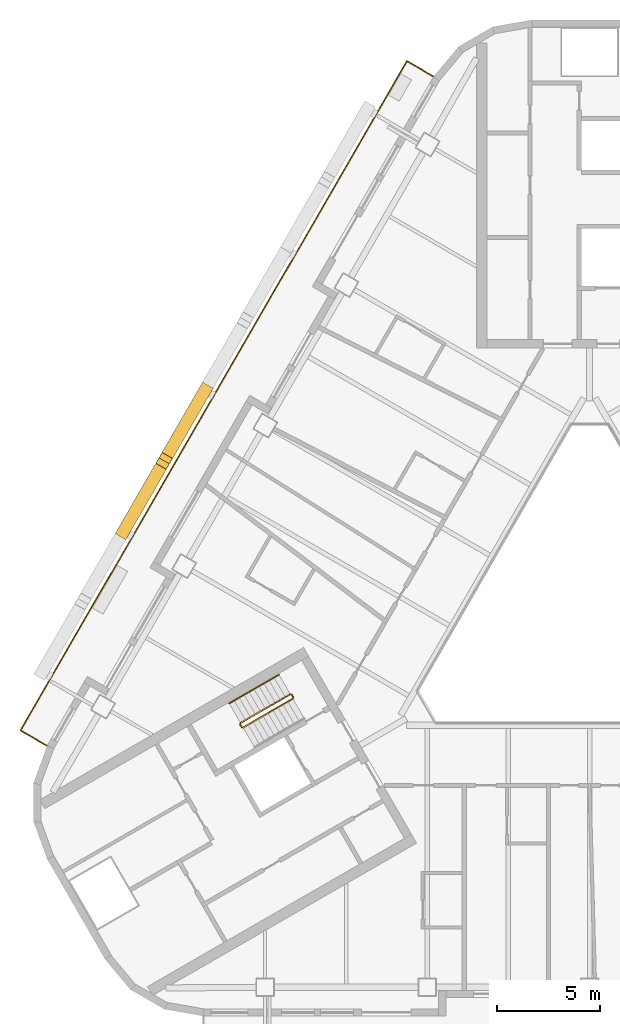
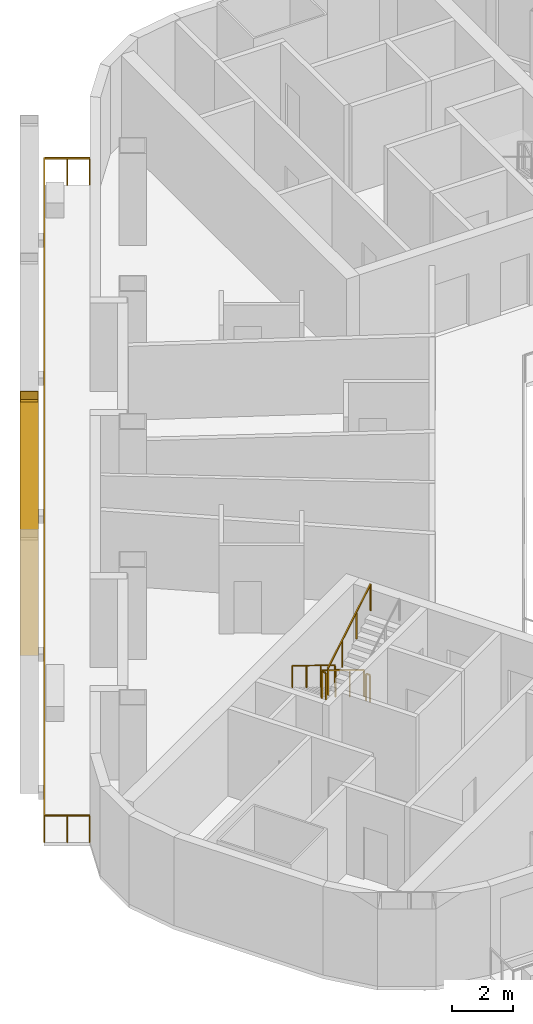
# One storey, part 10 of 14: 6 railings, 2 shading devices.
"""IFC4 building model written with IfcOpenShell, lengths in metres."""

from ifc_helpers import new_model, si_unit, direction, frame, origin, origin_2d, place, context, subcontext, project, spatial, rectangle, hollow_rectangle, circle, extrude, material, material_profile, profile_set, type_object, element, save


model = new_model("IFC4")

# Units and contexts
model_context = context("Model", 3, precision=1e-05, world=origin(), true_north=direction((0.0, 1.0)))
body_context = subcontext(model_context, "Body", "Model", "MODEL_VIEW")
ifc_project = project(units=[si_unit("LENGTHUNIT", "METRE"), si_unit("AREAUNIT", "SQUARE_METRE"), si_unit("VOLUMEUNIT", "CUBIC_METRE"), si_unit("PLANEANGLEUNIT", "RADIAN"), si_unit("MASSUNIT", "GRAM", prefix="KILO")], contexts=[model_context])

# Site, building, storey
site_placement = place(None, origin())
site = spatial("IfcSite", under=ifc_project, at=site_placement, CompositionType="ELEMENT")
building_placement = place(site_placement, origin())
building = spatial("IfcBuilding", under=site, at=building_placement, Name="Apuvela Tower Hotel", CompositionType="ELEMENT")
storey_placement = place(building_placement, frame((0.0, 0.0, 90.89990234375)))
storey = spatial("IfcBuildingStorey", under=building, at=storey_placement, Name="L20", CompositionType="ELEMENT", Elevation=90.89990234375)

# Railings
ifc_material_1 = material(Name="Steel S275 balustrade", Category="steel")
railing_type_1 = type_object("IfcRailingType", Name="COR-GUARD-1100", PredefinedType="GUARDRAIL", material=ifc_material_1)
railing_1_placement = place(storey_placement, frame((-14.569091796875, -3.9658203125, 0.168212890625)))
element("IfcRailing", 1, at=railing_1_placement, inside=storey, type_object=railing_type_1, Name="L20 ST2 stair guard 1", PredefinedType="GUARDRAIL", context=body_context, shape_type="SweptSolid", body=[
    extrude(rectangle(XDim=0.048095703125, YDim=0.048095703125, at=origin_2d()), frame((0.0, 0.0, 1.076171875), z_axis=(-0.742390482028, -0.42860119049, 0.514934356695), x_axis=(0.49998411664, -0.866034573852, 0.0)), (0.0, 0.0, 1.0), 3.26611328125),
    extrude(rectangle(XDim=0.0419921875, YDim=0.0419921875, at=origin_2d()), origin(), (0.0, 0.0, 1.0), 1.052001953125),
    extrude(rectangle(XDim=0.0419921875, YDim=0.0419921875, at=origin_2d()), frame((-0.808349609375, -0.466552734375, 0.560546875)), (0.0, 0.0, 1.0), 1.052001953125),
    extrude(rectangle(XDim=0.0419921875, YDim=0.0419921875, at=origin_2d()), frame((-1.616455078125, -0.933349609375, 1.121337890625)), (0.0, 0.0, 1.0), 1.052001953125),
    extrude(rectangle(XDim=0.0419921875, YDim=0.0419921875, at=origin_2d()), frame((-2.4248046875, -1.39990234375, 1.681884765625)), (0.0, 0.0, 1.0), 1.052001953125),
])
railing_2_placement = place(storey_placement, frame((-17.01220703125, -5.43408203125, 1.85009765625)))
element("IfcRailing", 2, at=railing_2_placement, inside=storey, type_object=railing_type_1, Name="L20 ST2 stair guard 2", PredefinedType="GUARDRAIL", context=body_context, shape_type="SweptSolid", body=[
    extrude(rectangle(XDim=0.048095703125, YDim=0.048095703125, at=origin_2d()), frame((0.0, 0.0, 1.076171875), z_axis=(0.499816412211, -0.866131372301, 0.0), x_axis=(0.866131372301, 0.499816412211, 0.0)), (0.0, 0.0, 1.0), 0.14990234375),
    extrude(rectangle(XDim=0.0419921875, YDim=0.0419921875, at=origin_2d()), origin(), (0.0, 0.0, 1.0), 1.052001953125),
    extrude(rectangle(XDim=0.0419921875, YDim=0.0419921875, at=origin_2d()), frame((0.074951171875, -0.1298828125, 0.0)), (0.0, 0.0, 1.0), 1.052001953125),
])
railing_3_placement = place(storey_placement, frame((-16.868896484375, -5.582275390625, 2.018310546875)))
element("IfcRailing", 3, at=railing_3_placement, inside=storey, type_object=railing_type_1, Name="L20 ST2 stair guard 3", PredefinedType="GUARDRAIL", context=body_context, shape_type="SweptSolid", body=[
    extrude(rectangle(XDim=0.048095703125, YDim=0.048095703125, at=origin_2d()), frame((0.0, 0.0, 1.076171875), z_axis=(0.742390482028, 0.42860119049, 0.514934356695), x_axis=(-0.49998411664, 0.866034573852, 0.0)), (0.0, 0.0, 1.0), 3.26611328125),
    extrude(rectangle(XDim=0.0419921875, YDim=0.0419921875, at=origin_2d()), origin(), (0.0, 0.0, 1.0), 1.052001953125),
    extrude(rectangle(XDim=0.0419921875, YDim=0.0419921875, at=origin_2d()), frame((0.808349609375, 0.466552734375, 0.560546875)), (0.0, 0.0, 1.0), 1.052001953125),
    extrude(rectangle(XDim=0.0419921875, YDim=0.0419921875, at=origin_2d()), frame((1.616455078125, 0.933349609375, 1.121337890625)), (0.0, 0.0, 1.0), 1.052001953125),
    extrude(rectangle(XDim=0.0419921875, YDim=0.0419921875, at=origin_2d()), frame((2.4248046875, 1.39990234375, 1.681884765625)), (0.0, 0.0, 1.0), 1.052001953125),
])
railing_4_placement = place(storey_placement, frame((-14.500732421875, -3.984130859375, 0.0)))
element("IfcRailing", 4, at=railing_4_placement, inside=storey, type_object=railing_type_1, Name="L20 ST2 stair guard 4", PredefinedType="GUARDRAIL", context=body_context, shape_type="SweptSolid", body=[
    extrude(rectangle(XDim=0.048095703125, YDim=0.048095703125, at=origin_2d()), frame((0.0, 0.0, 1.076171875), z_axis=(0.499816412211, -0.866131372301, 0.0), x_axis=(0.866131372301, 0.499816412211, 0.0)), (0.0, 0.0, 1.0), 0.14990234375),
    extrude(rectangle(XDim=0.0419921875, YDim=0.0419921875, at=origin_2d()), origin(), (0.0, 0.0, 1.0), 1.052001953125),
    extrude(rectangle(XDim=0.0419921875, YDim=0.0419921875, at=origin_2d()), frame((0.074951171875, -0.1298828125, 0.0)), (0.0, 0.0, 1.0), 1.052001953125),
])
ifc_material_2 = material(Name="Stainless steel 316 handrail", Category="steel")
railing_type_2 = type_object("IfcRailingType", Name="COR-HANDRAIL-900", PredefinedType="HANDRAIL", material=ifc_material_2)
railing_5_placement = place(storey_placement, frame((-15.118896484375, -3.01318359375, 0.168212890625)))
element("IfcRailing", 5, at=railing_5_placement, inside=storey, type_object=railing_type_2, Name="L20 ST2 stair handrail 1", PredefinedType="HANDRAIL", context=body_context, shape_type="SweptSolid", body=[
    extrude(circle(Radius=0.02392578125, at=origin_2d()), frame((0.0, 0.0, 0.8759765625), z_axis=(-0.742424030051, -0.428577407461, 0.514905783049), x_axis=(0.49994636267, -0.866056369097, 0.0)), (0.0, 0.0, 1.0), 3.266357421875),
    extrude(rectangle(XDim=0.0419921875, YDim=0.0419921875, at=origin_2d()), origin(), (0.0, 0.0, 1.0), 0.851806640625),
    extrude(rectangle(XDim=0.0419921875, YDim=0.0419921875, at=origin_2d()), frame((-0.808349609375, -0.466552734375, 0.560546875)), (0.0, 0.0, 1.0), 0.851806640625),
    extrude(rectangle(XDim=0.0419921875, YDim=0.0419921875, at=origin_2d()), frame((-1.61669921875, -0.933349609375, 1.121337890625)), (0.0, 0.0, 1.0), 0.851806640625),
    extrude(rectangle(XDim=0.0419921875, YDim=0.0419921875, at=origin_2d()), frame((-2.425048828125, -1.39990234375, 1.681884765625)), (0.0, 0.0, 1.0), 0.851806640625),
])

# Shading devices
ifc_material_3 = material(Name="Aluminium 6063-T6, black anodised", Category="aluminium")
ifc_material_profile = material_profile(ifc_material_3, hollow_rectangle(XDim=0.60009765625, YDim=0.699951171875, WallThickness=0.011962890625, at=origin_2d()), Name="AL BOX 700x600x12")
ifc_profile_set = profile_set([ifc_material_profile], Name="Aluminium 6063-T6, black anodised")
shading_device_type = type_object("IfcShadingDeviceType", Name="ENV-FIN-700x600", PredefinedType="USERDEFINED", material=ifc_profile_set)
shading_device_1_placement = place(storey_placement, frame((-18.732177734375, 10.81494140625, -0.099853515625), z_axis=(-0.235436388043, -0.407800622186, 0.882195193667), x_axis=(0.866032218625, -0.499988196164, 0.0)))
element("IfcShadingDevice", 6, at=shading_device_1_placement, inside=storey, type_object=shading_device_type, Name="Lattice fin NW245", ObjectType="FIN", PredefinedType="USERDEFINED", context=body_context, shape_type="SweptSolid", body=[
    extrude(hollow_rectangle(XDim=0.60009765625, YDim=0.699951171875, WallThickness=0.011962890625, at=origin_2d()), origin(), (0.0, 0.0, 1.0), 8.387939453125),
])
shading_device_2_placement = place(storey_placement, frame((-22.68212890625, 3.973388671875, -0.099853515625), z_axis=(0.235461085354, 0.407822092458, 0.882178677019), x_axis=(-0.866020906874, 0.500007788796, 0.0)))
element("IfcShadingDevice", 7, at=shading_device_2_placement, inside=storey, type_object=shading_device_type, Name="Lattice fin NW246", ObjectType="FIN", PredefinedType="USERDEFINED", context=body_context, shape_type="SweptSolid", body=[
    extrude(hollow_rectangle(XDim=0.60009765625, YDim=0.699951171875, WallThickness=0.011962890625, at=origin_2d()), origin(), (0.0, 0.0, 1.0), 8.38818359375),
])

# Railing
ifc_material_4 = material(Name="Stainless steel 316 rail with laminated glass infill", Category="steel")
railing_type_3 = type_object("IfcRailingType", Name="ENV-GUARD-1100", PredefinedType="GUARDRAIL", material=ifc_material_4)
railing_6_placement = place(storey_placement, frame((-7.59228515625, 26.110107421875, 0.0)))
element("IfcRailing", 8, at=railing_6_placement, inside=storey, type_object=railing_type_3, Name="Balcony guard NW L20", PredefinedType="GUARDRAIL", context=body_context, shape_type="SweptSolid", body=[
    extrude(rectangle(XDim=0.050048828125, YDim=0.050048828125, at=origin_2d()), frame((0.0, 0.0, 1.0751953125), z_axis=(-0.86599040064, 0.500060622324, 0.0), x_axis=(-0.500060622324, -0.86599040064, 0.0)), (0.0, 0.0, 1.0), 1.499755859375),
    extrude(rectangle(XDim=0.050048828125, YDim=0.050048828125, at=origin_2d()), frame((-1.298828125, 0.75, 1.0751953125), z_axis=(-0.500000437506, -0.86602515119, 0.0), x_axis=(0.86602515119, -0.500000437506, 0.0)), (0.0, 0.0, 1.0), 37.6318359375),
    extrude(rectangle(XDim=0.050048828125, YDim=0.050048828125, at=origin_2d()), frame((-20.11474609375, -31.840087890625, 1.0751953125), z_axis=(0.866031096941, -0.499990139034, 0.0), x_axis=(0.499990139034, 0.866031096941, 0.0)), (0.0, 0.0, 1.0), 1.5),
    extrude(rectangle(XDim=0.0400390625, YDim=0.0400390625, at=origin_2d()), origin(), (0.0, 0.0, 1.0), 1.050048828125),
    extrude(rectangle(XDim=0.0400390625, YDim=0.0400390625, at=origin_2d()), frame((-0.6494140625, 0.375, 0.0)), (0.0, 0.0, 1.0), 1.050048828125),
    extrude(rectangle(XDim=0.0400390625, YDim=0.0400390625, at=origin_2d()), frame((-1.298828125, 0.75, 0.0)), (0.0, 0.0, 1.0), 1.050048828125),
    extrude(rectangle(XDim=0.0400390625, YDim=0.0400390625, at=origin_2d()), frame((-1.88671875, -0.2685546875, 0.0)), (0.0, 0.0, 1.0), 1.050048828125),
    extrude(rectangle(XDim=0.0400390625, YDim=0.0400390625, at=origin_2d()), frame((-2.474853515625, -1.286865234375, 0.0)), (0.0, 0.0, 1.0), 1.050048828125),
    extrude(rectangle(XDim=0.0400390625, YDim=0.0400390625, at=origin_2d()), frame((-3.062744140625, -2.305419921875, 0.0)), (0.0, 0.0, 1.0), 1.050048828125),
    extrude(rectangle(XDim=0.0400390625, YDim=0.0400390625, at=origin_2d()), frame((-3.65087890625, -3.32373046875, 0.0)), (0.0, 0.0, 1.0), 1.050048828125),
    extrude(rectangle(XDim=0.0400390625, YDim=0.0400390625, at=origin_2d()), frame((-4.23876953125, -4.34228515625, 0.0)), (0.0, 0.0, 1.0), 1.050048828125),
    extrude(rectangle(XDim=0.0400390625, YDim=0.0400390625, at=origin_2d()), frame((-4.826904296875, -5.360595703125, 0.0)), (0.0, 0.0, 1.0), 1.050048828125),
    extrude(rectangle(XDim=0.0400390625, YDim=0.0400390625, at=origin_2d()), frame((-5.414794921875, -6.379150390625, 0.0)), (0.0, 0.0, 1.0), 1.050048828125),
    extrude(rectangle(XDim=0.0400390625, YDim=0.0400390625, at=origin_2d()), frame((-6.0029296875, -7.3974609375, 0.0)), (0.0, 0.0, 1.0), 1.050048828125),
    extrude(rectangle(XDim=0.0400390625, YDim=0.0400390625, at=origin_2d()), frame((-6.5908203125, -8.416015625, 0.0)), (0.0, 0.0, 1.0), 1.050048828125),
    extrude(rectangle(XDim=0.0400390625, YDim=0.0400390625, at=origin_2d()), frame((-7.1787109375, -9.434326171875, 0.0)), (0.0, 0.0, 1.0), 1.050048828125),
    extrude(rectangle(XDim=0.0400390625, YDim=0.0400390625, at=origin_2d()), frame((-7.766845703125, -10.452880859375, 0.0)), (0.0, 0.0, 1.0), 1.050048828125),
    extrude(rectangle(XDim=0.0400390625, YDim=0.0400390625, at=origin_2d()), frame((-8.354736328125, -11.47119140625, 0.0)), (0.0, 0.0, 1.0), 1.050048828125),
    extrude(rectangle(XDim=0.0400390625, YDim=0.0400390625, at=origin_2d()), frame((-8.94287109375, -12.48974609375, 0.0)), (0.0, 0.0, 1.0), 1.050048828125),
    extrude(rectangle(XDim=0.0400390625, YDim=0.0400390625, at=origin_2d()), frame((-9.53076171875, -13.508056640625, 0.0)), (0.0, 0.0, 1.0), 1.050048828125),
    extrude(rectangle(XDim=0.0400390625, YDim=0.0400390625, at=origin_2d()), frame((-10.118896484375, -14.526611328125, 0.0)), (0.0, 0.0, 1.0), 1.050048828125),
    extrude(rectangle(XDim=0.0400390625, YDim=0.0400390625, at=origin_2d()), frame((-10.706787109375, -15.544921875, 0.0)), (0.0, 0.0, 1.0), 1.050048828125),
    extrude(rectangle(XDim=0.0400390625, YDim=0.0400390625, at=origin_2d()), frame((-11.294677734375, -16.5634765625, 0.0)), (0.0, 0.0, 1.0), 1.050048828125),
    extrude(rectangle(XDim=0.0400390625, YDim=0.0400390625, at=origin_2d()), frame((-11.8828125, -17.58203125, 0.0)), (0.0, 0.0, 1.0), 1.050048828125),
    extrude(rectangle(XDim=0.0400390625, YDim=0.0400390625, at=origin_2d()), frame((-12.470703125, -18.600341796875, 0.0)), (0.0, 0.0, 1.0), 1.050048828125),
    extrude(rectangle(XDim=0.0400390625, YDim=0.0400390625, at=origin_2d()), frame((-13.058837890625, -19.618896484375, 0.0)), (0.0, 0.0, 1.0), 1.050048828125),
    extrude(rectangle(XDim=0.0400390625, YDim=0.0400390625, at=origin_2d()), frame((-13.646728515625, -20.63720703125, 0.0)), (0.0, 0.0, 1.0), 1.050048828125),
    extrude(rectangle(XDim=0.0400390625, YDim=0.0400390625, at=origin_2d()), frame((-14.23486328125, -21.65576171875, 0.0)), (0.0, 0.0, 1.0), 1.050048828125),
    extrude(rectangle(XDim=0.0400390625, YDim=0.0400390625, at=origin_2d()), frame((-14.82275390625, -22.674072265625, 0.0)), (0.0, 0.0, 1.0), 1.050048828125),
    extrude(rectangle(XDim=0.0400390625, YDim=0.0400390625, at=origin_2d()), frame((-15.41064453125, -23.692626953125, 0.0)), (0.0, 0.0, 1.0), 1.050048828125),
    extrude(rectangle(XDim=0.0400390625, YDim=0.0400390625, at=origin_2d()), frame((-15.998779296875, -24.7109375, 0.0)), (0.0, 0.0, 1.0), 1.050048828125),
    extrude(rectangle(XDim=0.0400390625, YDim=0.0400390625, at=origin_2d()), frame((-16.586669921875, -25.7294921875, 0.0)), (0.0, 0.0, 1.0), 1.050048828125),
    extrude(rectangle(XDim=0.0400390625, YDim=0.0400390625, at=origin_2d()), frame((-17.1748046875, -26.747802734375, 0.0)), (0.0, 0.0, 1.0), 1.050048828125),
    extrude(rectangle(XDim=0.0400390625, YDim=0.0400390625, at=origin_2d()), frame((-17.7626953125, -27.766357421875, 0.0)), (0.0, 0.0, 1.0), 1.050048828125),
    extrude(rectangle(XDim=0.0400390625, YDim=0.0400390625, at=origin_2d()), frame((-18.350830078125, -28.78466796875, 0.0)), (0.0, 0.0, 1.0), 1.050048828125),
    extrude(rectangle(XDim=0.0400390625, YDim=0.0400390625, at=origin_2d()), frame((-18.938720703125, -29.80322265625, 0.0)), (0.0, 0.0, 1.0), 1.050048828125),
    extrude(rectangle(XDim=0.0400390625, YDim=0.0400390625, at=origin_2d()), frame((-19.52685546875, -30.821533203125, 0.0)), (0.0, 0.0, 1.0), 1.050048828125),
    extrude(rectangle(XDim=0.0400390625, YDim=0.0400390625, at=origin_2d()), frame((-20.11474609375, -31.840087890625, 0.0)), (0.0, 0.0, 1.0), 1.050048828125),
    extrude(rectangle(XDim=0.0400390625, YDim=0.0400390625, at=origin_2d()), frame((-19.46533203125, -32.215087890625, 0.0)), (0.0, 0.0, 1.0), 1.050048828125),
    extrude(rectangle(XDim=0.0400390625, YDim=0.0400390625, at=origin_2d()), frame((-18.815673828125, -32.590087890625, 0.0)), (0.0, 0.0, 1.0), 1.050048828125),
])

save(model, "model.ifc")
